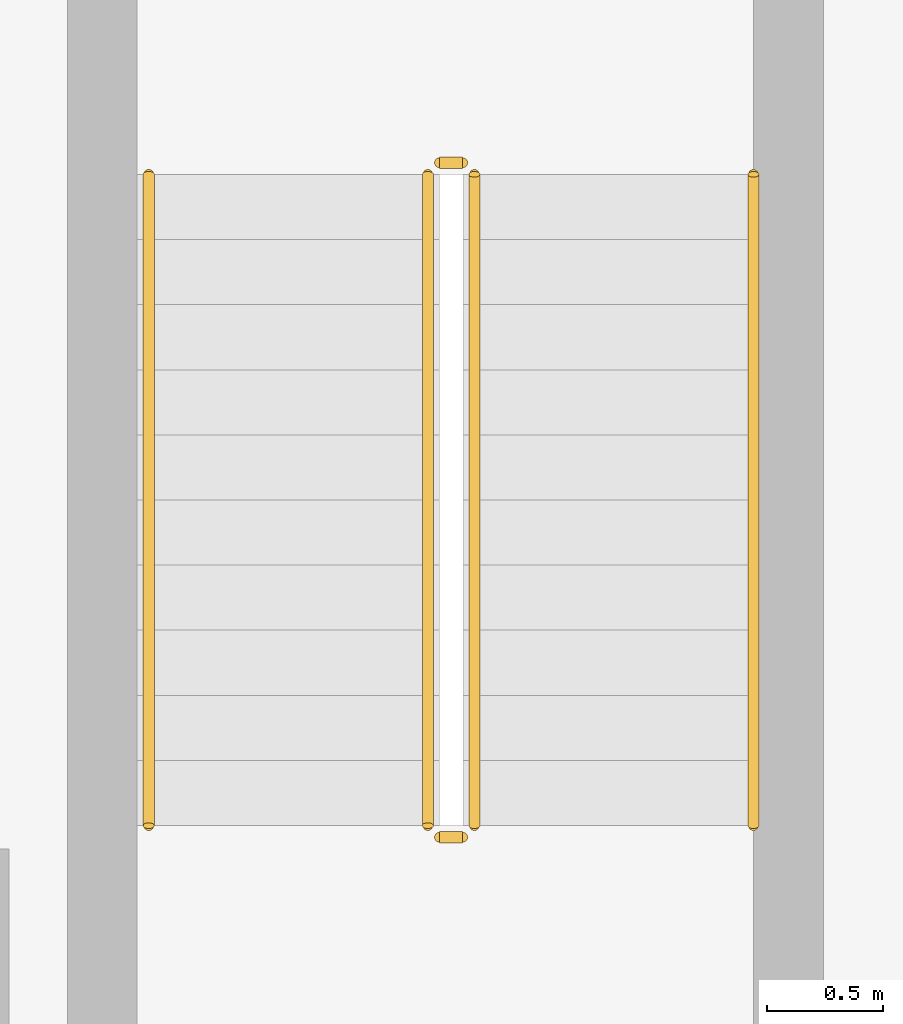
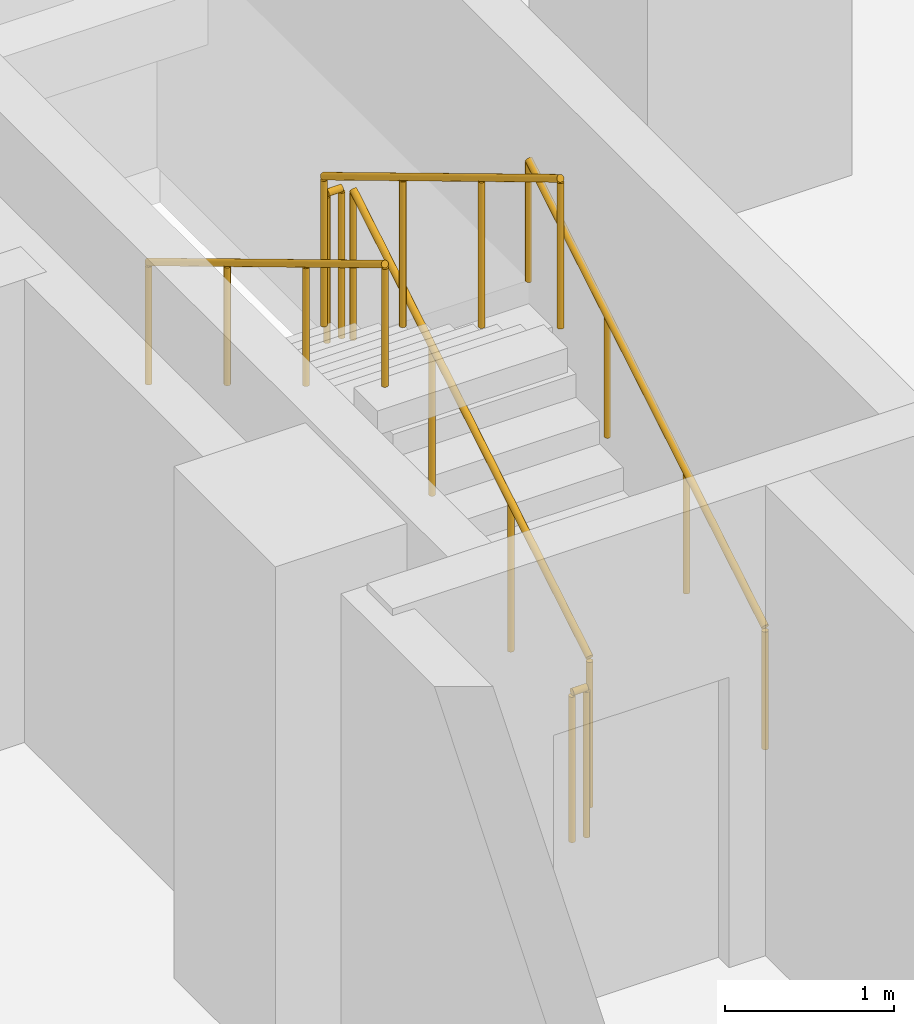
# One storey, part 33 of 34: 6 railings.
"""IFC4 building model written with IfcOpenShell, lengths in metres."""

from ifc_helpers import new_model, si_unit, direction, frame, origin, origin_2d, place, context, subcontext, project, spatial, circle, extrude, material, type_object, element, save


model = new_model("IFC4")

# Units and contexts
model_context = context("Model", 3, precision=1e-05, world=origin(), true_north=direction((0.0, 1.0)))
body_context = subcontext(model_context, "Body", "Model", "MODEL_VIEW")
ifc_project = project(units=[si_unit("LENGTHUNIT", "METRE"), si_unit("AREAUNIT", "SQUARE_METRE"), si_unit("VOLUMEUNIT", "CUBIC_METRE"), si_unit("PLANEANGLEUNIT", "RADIAN"), si_unit("MASSUNIT", "GRAM", prefix="KILO")], contexts=[model_context])

# Site, building, storey
site_placement = place(None, origin())
site = spatial("IfcSite", under=ifc_project, at=site_placement, CompositionType="ELEMENT")
building_placement = place(site_placement, origin())
building = spatial("IfcBuilding", under=site, at=building_placement, Name="Ogive Portal Towers", CompositionType="ELEMENT")
storey_placement = place(building_placement, frame((0.0, 0.0, 66.800048828125)))
storey = spatial("IfcBuildingStorey", under=building, at=storey_placement, Name="L15", CompositionType="ELEMENT", Elevation=66.800048828125)

# Railings
ifc_material_1 = material(Name="Stainless steel balustrade", Category="steel")
railing_type_1 = type_object("IfcRailingType", Name="INT-GUARD", PredefinedType="GUARDRAIL", material=ifc_material_1)
railing_1_placement = place(storey_placement, frame((42.949951171875, 67.199951171875, 0.168212890625)))
element("IfcRailing", 1, at=railing_1_placement, inside=storey, type_object=railing_type_1, Name="L15 ST-A3 stair guard 1", PredefinedType="GUARDRAIL", context=body_context, shape_type="SweptSolid", body=[
    extrude(circle(Radius=0.02392578125, at=origin_2d()), frame((0.0, 0.0, 1.076171875), z_axis=(0.0, 0.857275202839, 0.514858452973), x_axis=(-1.0, 0.0, 0.0)), (0.0, 0.0, 1.0), 3.26611328125),
    extrude(circle(Radius=0.02099609375, at=origin_2d()), origin(), (0.0, 0.0, 1.0), 1.052001953125),
    extrude(circle(Radius=0.02099609375, at=origin_2d()), frame((0.0, 0.933349609375, 0.560546875)), (0.0, 0.0, 1.0), 1.052001953125),
    extrude(circle(Radius=0.02099609375, at=origin_2d()), frame((0.0, 1.86669921875, 1.12109375)), (0.0, 0.0, 1.0), 1.052001953125),
    extrude(circle(Radius=0.02099609375, at=origin_2d()), frame((0.0, 2.800048828125, 1.681640625)), (0.0, 0.0, 1.0), 1.052001953125),
])
railing_2_placement = place(storey_placement, frame((42.89990234375, 70.050048828125, 1.849853515625)))
element("IfcRailing", 2, at=railing_2_placement, inside=storey, type_object=railing_type_1, Name="L15 ST-A3 stair guard 2", PredefinedType="GUARDRAIL", context=body_context, shape_type="SweptSolid", body=[
    extrude(circle(Radius=0.02392578125, at=origin_2d()), frame((0.0, 0.0, 1.076171875), z_axis=(-1.0, 0.0, 0.0), x_axis=(0.0, -1.0, 0.0)), (0.0, 0.0, 1.0), 0.099853515625),
    extrude(circle(Radius=0.02099609375, at=origin_2d()), origin(), (0.0, 0.0, 1.0), 1.052001953125),
    extrude(circle(Radius=0.02099609375, at=origin_2d()), frame((-0.099853515625, 0.0, 0.0)), (0.0, 0.0, 1.0), 1.052001953125),
])
railing_3_placement = place(storey_placement, frame((42.75, 70.0, 2.01806640625)))
element("IfcRailing", 3, at=railing_3_placement, inside=storey, type_object=railing_type_1, Name="L15 ST-A3 stair guard 3", PredefinedType="GUARDRAIL", context=body_context, shape_type="SweptSolid", body=[
    extrude(circle(Radius=0.02392578125, at=origin_2d()), frame((0.0, 0.0, 1.076171875), z_axis=(0.0, -0.857242210791, 0.514913383045), x_axis=(1.0, 0.0, 0.0)), (0.0, 0.0, 1.0), 3.266357421875),
    extrude(circle(Radius=0.02099609375, at=origin_2d()), origin(), (0.0, 0.0, 1.0), 1.052001953125),
    extrude(circle(Radius=0.02099609375, at=origin_2d()), frame((0.0, -0.933349609375, 0.560546875)), (0.0, 0.0, 1.0), 1.052001953125),
    extrude(circle(Radius=0.02099609375, at=origin_2d()), frame((0.0, -1.86669921875, 1.121337890625)), (0.0, 0.0, 1.0), 1.052001953125),
    extrude(circle(Radius=0.02099609375, at=origin_2d()), frame((0.0, -2.800048828125, 1.681884765625)), (0.0, 0.0, 1.0), 1.052001953125),
])
railing_4_placement = place(storey_placement, frame((42.89990234375, 67.14990234375, 0.0)))
element("IfcRailing", 4, at=railing_4_placement, inside=storey, type_object=railing_type_1, Name="L15 ST-A3 stair guard 4", PredefinedType="GUARDRAIL", context=body_context, shape_type="SweptSolid", body=[
    extrude(circle(Radius=0.02392578125, at=origin_2d()), frame((0.0, 0.0, 1.076171875), z_axis=(-1.0, 0.0, 0.0), x_axis=(0.0, -1.0, 0.0)), (0.0, 0.0, 1.0), 0.099853515625),
    extrude(circle(Radius=0.02099609375, at=origin_2d()), origin(), (0.0, 0.0, 1.0), 1.052001953125),
    extrude(circle(Radius=0.02099609375, at=origin_2d()), frame((-0.099853515625, 0.0, 0.0)), (0.0, 0.0, 1.0), 1.052001953125),
])
ifc_material_2 = material(Name="Stainless steel handrail", Category="steel")
railing_type_2 = type_object("IfcRailingType", Name="INT-HANDRAIL", PredefinedType="HANDRAIL", material=ifc_material_2)
railing_5_placement = place(storey_placement, frame((44.14990234375, 67.199951171875, 0.168212890625)))
element("IfcRailing", 5, at=railing_5_placement, inside=storey, type_object=railing_type_2, Name="L15 ST-A3 stair handrail 1", PredefinedType="HANDRAIL", context=body_context, shape_type="SweptSolid", body=[
    extrude(circle(Radius=0.02392578125, at=origin_2d()), frame((0.0, 0.0, 0.8759765625), z_axis=(0.0, 0.857275202839, 0.514858452973), x_axis=(-1.0, 0.0, 0.0)), (0.0, 0.0, 1.0), 3.26611328125),
    extrude(circle(Radius=0.02099609375, at=origin_2d()), origin(), (0.0, 0.0, 1.0), 0.851806640625),
    extrude(circle(Radius=0.02099609375, at=origin_2d()), frame((0.0, 0.933349609375, 0.560546875)), (0.0, 0.0, 1.0), 0.851806640625),
    extrude(circle(Radius=0.02099609375, at=origin_2d()), frame((0.0, 1.86669921875, 1.12109375)), (0.0, 0.0, 1.0), 0.851806640625),
    extrude(circle(Radius=0.02099609375, at=origin_2d()), frame((0.0, 2.800048828125, 1.681640625)), (0.0, 0.0, 1.0), 0.851806640625),
])
railing_6_placement = place(storey_placement, frame((41.550048828125, 70.0, 2.01806640625)))
element("IfcRailing", 6, at=railing_6_placement, inside=storey, type_object=railing_type_2, Name="L15 ST-A3 stair handrail 2", PredefinedType="HANDRAIL", context=body_context, shape_type="SweptSolid", body=[
    extrude(circle(Radius=0.02392578125, at=origin_2d()), frame((0.0, 0.0, 0.8759765625), z_axis=(0.0, -0.857242210791, 0.514913383045), x_axis=(1.0, 0.0, 0.0)), (0.0, 0.0, 1.0), 3.266357421875),
    extrude(circle(Radius=0.02099609375, at=origin_2d()), origin(), (0.0, 0.0, 1.0), 0.851806640625),
    extrude(circle(Radius=0.02099609375, at=origin_2d()), frame((0.0, -0.933349609375, 0.560546875)), (0.0, 0.0, 1.0), 0.851806640625),
    extrude(circle(Radius=0.02099609375, at=origin_2d()), frame((0.0, -1.86669921875, 1.121337890625)), (0.0, 0.0, 1.0), 0.851806640625),
    extrude(circle(Radius=0.02099609375, at=origin_2d()), frame((0.0, -2.800048828125, 1.681884765625)), (0.0, 0.0, 1.0), 0.851806640625),
])

save(model, "model.ifc")
